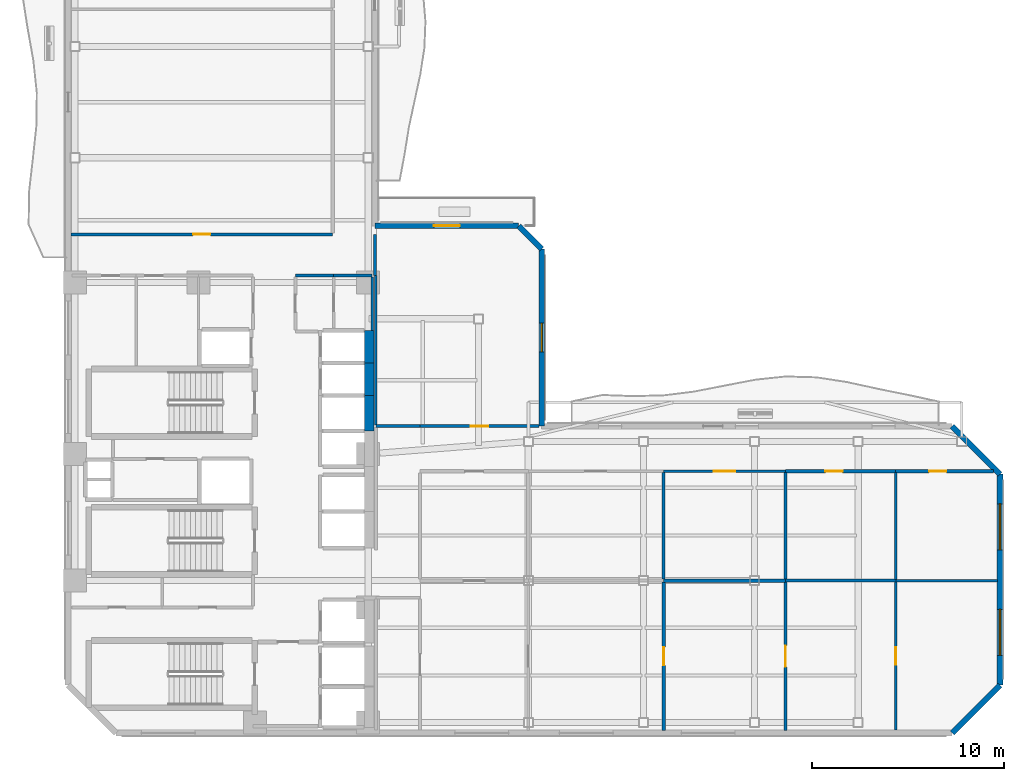
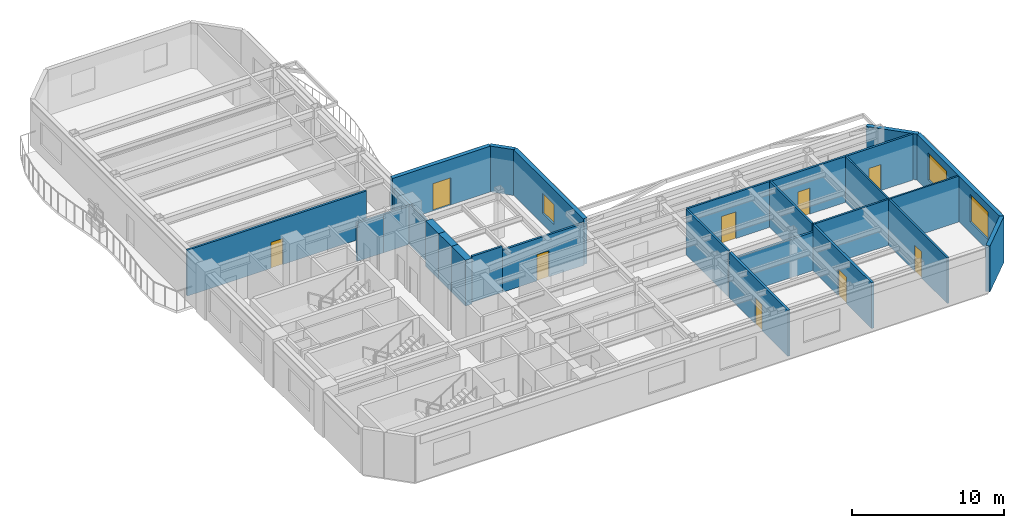
# One storey, part 5 of 12: 29 walls, 9 doors, 3 windows, 12 openings.
"""IFC4 building model written with IfcOpenShell, lengths in metres."""

from ifc_helpers import new_model, si_unit, direction, frame, frame_2d, origin, place, context, subcontext, project, spatial, rectangle, extrude, material, layer, layer_set, type_object, element, fill, save


model = new_model("IFC4")

# Units and contexts
model_context = context("Model", 3, precision=1e-05, world=origin(), true_north=direction((0.0, 1.0)))
body_context = subcontext(model_context, "Body", "Model", "MODEL_VIEW")
ifc_project = project(units=[si_unit("LENGTHUNIT", "METRE"), si_unit("AREAUNIT", "SQUARE_METRE"), si_unit("VOLUMEUNIT", "CUBIC_METRE"), si_unit("PLANEANGLEUNIT", "RADIAN"), si_unit("MASSUNIT", "GRAM", prefix="KILO")], contexts=[model_context])

# Site, building, storey
site_placement = place(None, origin())
site = spatial("IfcSite", under=ifc_project, at=site_placement, CompositionType="ELEMENT")
building_placement = place(site_placement, origin())
building = spatial("IfcBuilding", under=site, at=building_placement, Name="Mawjaban Terraces University", CompositionType="ELEMENT")
storey_placement = place(building_placement, frame((0.0, 0.0, 134.60009765625)))
storey = spatial("IfcBuildingStorey", under=building, at=storey_placement, Name="L32", CompositionType="ELEMENT", Elevation=134.60009765625)

# Wall
ifc_material_1 = material(Name="Acoustic masonry blockwork", Category="masonry")
ifc_layer_1 = layer(ifc_material_1, 0.179931640625)
ifc_layer_set_1 = layer_set([ifc_layer_1], Name="Acoustic masonry blockwork")
wall_type_1 = type_object("IfcWallType", Name="AcousticStudioWall_180", PredefinedType="PARTITIONING", material=ifc_layer_set_1)
wall_1_placement = place(storey_placement, frame((59.409912109375, 7.949951171875, 0.0), z_axis=(0.0, 0.0, 1.0), x_axis=(-1.0, 0.0, 0.0)))
element("IfcWall", 1, at=wall_1_placement, inside=storey, type_object=wall_type_1, Name="L32 Design Studio 6 Partition 23", PredefinedType="PARTITIONING", context=body_context, shape_type="SweptSolid", body=[
    extrude(rectangle(XDim=6.35986328125, YDim=0.179931640625, at=frame_2d((3.179931640625, 0.0))), origin(), (0.0, 0.0, 1.0), 3.073974609375),
])

# Wall, opening, door
wall_2_placement = place(storey_placement, frame((53.050048828125, 0.14501953125, 0.0), z_axis=(0.0, 0.0, 1.0), x_axis=(0.0, 1.0, 0.0)))
wall_2 = element("IfcWall", 2, at=wall_2_placement, inside=storey, type_object=wall_type_1, Name="L32 Computational Laboratory 4 Partition 47", PredefinedType="PARTITIONING", context=body_context, shape_type="SweptSolid", body=[
    extrude(rectangle(XDim=7.719970703125, YDim=0.179931640625, at=frame_2d((3.85986328125, 0.0))), origin(), (0.0, 0.0, 1.0), 3.68994140625),
])
opening_1_placement = place(wall_2_placement, frame((3.385009765625, 0.0, 0.0)))
opening_1 = element("IfcOpeningElement", 3, at=opening_1_placement, cuts=wall_2, Name="Opening ID-095", PredefinedType="OPENING", context=body_context, shape_type="SweptSolid", body=[
    extrude(rectangle(XDim=0.949951171875, YDim=2.10009765625, at=frame_2d((0.47509765625, 1.050048828125))), frame((0.0, 0.099853515625, 0.0), z_axis=(0.0, -1.0, 0.0), x_axis=(1.0, 0.0, 0.0)), (0.0, 0.0, 1.0), 0.199951171875),
])
ifc_material_2 = material(Name="Powder-coated steel frame and solid acoustic timber leaf", Category="steel")
door_type_1 = type_object("IfcDoorType", Name="StudioDoor_950x2100", OperationType="NOTDEFINED", PredefinedType="DOOR", material=ifc_material_2)
door_1_placement = place(opening_1_placement, origin())
door_1 = element("IfcDoor", 4, at=door_1_placement, inside=storey, type_object=door_type_1, Name="L32 Design Studio 6 Door", OperationType="SINGLE_SWING_LEFT", OverallHeight=2.10009765625, OverallWidth=0.949951171875, PredefinedType="DOOR", context=body_context, shape_type="SweptSolid", body=[
    extrude(rectangle(XDim=0.949951171875, YDim=2.10009765625, at=frame_2d((0.47509765625, 1.050048828125))), frame((0.0, 0.02490234375, 0.0), z_axis=(0.0, -1.0, 0.0), x_axis=(1.0, 0.0, 0.0)), (0.0, 0.0, 1.0), 0.050048828125),
])
fill(opening_1, door_1)

wall_3_placement = place(storey_placement, frame((59.409912109375, 0.14501953125, 0.0), z_axis=(0.0, 0.0, 1.0), x_axis=(0.0, 1.0, 0.0)))
wall_3 = element("IfcWall", 5, at=wall_3_placement, inside=storey, type_object=wall_type_1, Name="L32 Design Studio 6 Partition 49", PredefinedType="PARTITIONING", context=body_context, shape_type="SweptSolid", body=[
    extrude(rectangle(XDim=7.719970703125, YDim=0.179931640625, at=frame_2d((3.85986328125, 0.0))), origin(), (0.0, 0.0, 1.0), 3.68994140625),
])
opening_2_placement = place(wall_3_placement, frame((3.31005859375, 0.0, 0.0)))
opening_2 = element("IfcOpeningElement", 6, at=opening_2_placement, cuts=wall_3, Name="Opening ID-110", PredefinedType="OPENING", context=body_context, shape_type="SweptSolid", body=[
    extrude(rectangle(XDim=1.10009765625, YDim=2.14990234375, at=frame_2d((0.550048828125, 1.074951171875))), frame((0.0, 0.099853515625, 0.0), z_axis=(0.0, -1.0, 0.0), x_axis=(1.0, 0.0, 0.0)), (0.0, 0.0, 1.0), 0.199951171875),
])
door_type_2 = type_object("IfcDoorType", Name="LabDoor_1100x2150", OperationType="NOTDEFINED", PredefinedType="DOOR", material=ifc_material_2)
door_2_placement = place(opening_2_placement, origin())
door_2 = element("IfcDoor", 7, at=door_2_placement, inside=storey, type_object=door_type_2, Name="L32 Teaching Laboratory 8 Door", OperationType="SINGLE_SWING_RIGHT", OverallHeight=2.14990234375, OverallWidth=1.10009765625, PredefinedType="DOOR", context=body_context, shape_type="SweptSolid", body=[
    extrude(rectangle(XDim=1.10009765625, YDim=2.14990234375, at=frame_2d((0.550048828125, 1.074951171875))), frame((0.0, 0.02490234375, 0.0), z_axis=(0.0, -1.0, 0.0), x_axis=(1.0, 0.0, 0.0)), (0.0, 0.0, 1.0), 0.050048828125),
])
fill(opening_2, door_2)

# Walls
ifc_material_3 = material(Name="Concrete C60/75", Category="concrete")
ifc_layer_2 = layer(ifc_material_3, 0.5)
ifc_layer_set_2 = layer_set([ifc_layer_2], Name="Concrete C60/75")
wall_type_2 = type_object("IfcWallType", Name="CoreShearWall_500", PredefinedType="SHEAR", material=ifc_layer_set_2)
wall_4_placement = place(storey_placement, frame((37.699951171875, 15.75, 0.0), z_axis=(0.0, 0.0, 1.0), x_axis=(0.0, 1.0, 0.0)))
element("IfcWall", 8, at=wall_4_placement, inside=storey, type_object=wall_type_2, Name="L32 Lift OL-2 Hoistway Wall East", PredefinedType="SHEAR", context=body_context, shape_type="SweptSolid", body=[
    extrude(rectangle(XDim=1.85009765625, YDim=0.5, at=frame_2d((0.925048828125, 0.0))), origin(), (0.0, 0.0, 1.0), 3.68994140625),
])
for number, where, z_axis, x_axis, name in (
    (9, (37.699951171875, 17.60009765625, 0.0), (0.0, 0.0, 1.0), (0.0, 1.0, 0.0), "L32 Lift PL-M1 Hoistway Wall East"),
    (10, (37.699951171875, 19.300048828125, 0.0), (0.0, 0.0, 1.0), (0.0, 1.0, 0.0), "L32 Lift PL-M2 Hoistway Wall East"),
):
    element("IfcWall", number, at=place(storey_placement, frame(where, z_axis=z_axis, x_axis=x_axis)), inside=storey, type_object=wall_type_2, Name=name, PredefinedType="SHEAR", context=body_context, shape_type="SweptSolid", body=[
        extrude(rectangle(XDim=1.699951171875, YDim=0.5, at=frame_2d((0.85009765625, 0.0))), origin(), (0.0, 0.0, 1.0), 3.68994140625),
    ])

# Wall, opening, door
ifc_material_4 = material(Name="Fire-rated gypsum board on steel stud", Category="steel")
ifc_layer_3 = layer(ifc_material_4, 0.159912109375)
ifc_layer_set_3 = layer_set([ifc_layer_3], Name="Fire-rated gypsum board on steel stud")
wall_type_3 = type_object("IfcWallType", Name="CorridorPartition_160", PredefinedType="PARTITIONING", material=ifc_layer_set_3)
wall_5_placement = place(storey_placement, frame((35.800048828125, 26.0, 0.0), z_axis=(0.0, 0.0, 1.0), x_axis=(-1.0, 0.0, 0.0)))
wall_5 = element("IfcWall", 11, at=wall_5_placement, inside=storey, type_object=wall_type_3, Name="L32 North Core Cross-Corridor Partition 11", PredefinedType="PARTITIONING", context=body_context, shape_type="SweptSolid", body=[
    extrude(rectangle(XDim=13.655029296875, YDim=0.159912109375, at=frame_2d((6.82763671875, 0.0))), origin(), (0.0, 0.0, 1.0), 3.68994140625),
])
opening_3_placement = place(wall_5_placement, frame((6.376953125, 0.0, 0.0)))
opening_3 = element("IfcOpeningElement", 12, at=opening_3_placement, cuts=wall_5, Name="Opening ID-090", PredefinedType="OPENING", context=body_context, shape_type="SweptSolid", body=[
    extrude(rectangle(XDim=0.89990234375, YDim=2.10009765625, at=frame_2d((0.449951171875, 1.050048828125))), frame((0.0, 0.08984375, 0.0), z_axis=(0.0, -1.0, 0.0), x_axis=(1.0, 0.0, 0.0)), (0.0, 0.0, 1.0), 0.179931640625),
])
door_type_3 = type_object("IfcDoorType", Name="OfficeDoor_900x2100", OperationType="NOTDEFINED", PredefinedType="DOOR", material=ifc_material_2)
door_3_placement = place(opening_3_placement, origin())
door_3 = element("IfcDoor", 13, at=door_3_placement, inside=storey, type_object=door_type_3, Name="L32 Departmental Office 12 Door", OperationType="SINGLE_SWING_RIGHT", OverallHeight=2.10009765625, OverallWidth=0.89990234375, PredefinedType="DOOR", context=body_context, shape_type="SweptSolid", body=[
    extrude(rectangle(XDim=0.89990234375, YDim=2.10009765625, at=frame_2d((0.449951171875, 1.050048828125))), frame((0.0, 0.02490234375, 0.0), z_axis=(0.0, -1.0, 0.0), x_axis=(1.0, 0.0, 0.0)), (0.0, 0.0, 1.0), 0.050048828125),
])
fill(opening_3, door_3)

# Walls
for number, where, z_axis, x_axis, name in (
    (14, (35.85009765625, 23.85009765625, 0.0), (0.0, 0.0, 1.0), (-1.0, 0.0, 0.0), "L32 Departmental Resource Seminar Room Partition 13"),
    (15, (37.85009765625, 23.85009765625, 0.0), (0.0, 0.0, 1.0), (-1.0, 0.0, 0.0), "L32 Faculty Archive Closet Partition 14"),
):
    element("IfcWall", number, at=place(storey_placement, frame(where, z_axis=z_axis, x_axis=x_axis)), inside=storey, type_object=wall_type_3, Name=name, PredefinedType="PARTITIONING", context=body_context, shape_type="SweptSolid", body=[
        extrude(rectangle(XDim=2.0, YDim=0.159912109375, at=frame_2d((1.0, 0.0))), origin(), (0.0, 0.0, 1.0), 3.073974609375),
    ])
wall_6_placement = place(storey_placement, frame((40.35009765625, 16.0, 0.0), z_axis=(0.0, 0.0, 1.0), x_axis=(-1.0, 0.0, 0.0)))
element("IfcWall", 16, at=wall_6_placement, inside=storey, type_object=wall_type_3, Name="L32 Inner Gallery Link Corridor Partition 17", PredefinedType="PARTITIONING", context=body_context, shape_type="SweptSolid", body=[
    extrude(rectangle(XDim=2.300048828125, YDim=0.159912109375, at=frame_2d((1.14990234375, 0.0))), origin(), (0.0, 0.0, 1.0), 3.68994140625),
])

# Wall, opening, door
wall_7_placement = place(storey_placement, frame((40.35009765625, 16.0, 0.0), z_axis=(0.0, 0.0, 1.0), x_axis=(1.0, 0.0, 0.0)))
wall_7 = element("IfcWall", 17, at=wall_7_placement, inside=storey, type_object=wall_type_3, Name="L32 Terrace Collaborative Study Room Partition 18", PredefinedType="PARTITIONING", context=body_context, shape_type="SweptSolid", body=[
    extrude(rectangle(XDim=6.203857421875, YDim=0.159912109375, at=frame_2d((3.10205078125, 0.0))), origin(), (0.0, 0.0, 1.0), 3.389892578125),
])
opening_4_placement = place(wall_7_placement, frame((2.652099609375, 0.0, 0.0)))
opening_4 = element("IfcOpeningElement", 18, at=opening_4_placement, cuts=wall_7, Name="Opening ID-090", PredefinedType="OPENING", context=body_context, shape_type="SweptSolid", body=[
    extrude(rectangle(XDim=0.89990234375, YDim=2.10009765625, at=frame_2d((0.449951171875, 1.050048828125))), frame((0.0, 0.08984375, 0.0), z_axis=(0.0, -1.0, 0.0), x_axis=(1.0, 0.0, 0.0)), (0.0, 0.0, 1.0), 0.179931640625),
])
door_4_placement = place(opening_4_placement, origin())
door_4 = element("IfcDoor", 19, at=door_4_placement, inside=storey, type_object=door_type_3, Name="L32 Terrace Collaborative Study Room Door", OperationType="SINGLE_SWING_RIGHT", OverallHeight=2.10009765625, OverallWidth=0.89990234375, PredefinedType="DOOR", context=body_context, shape_type="SweptSolid", body=[
    extrude(rectangle(XDim=0.89990234375, YDim=2.10009765625, at=frame_2d((0.449951171875, 1.050048828125))), frame((0.0, 0.02490234375, 0.0), z_axis=(0.0, -1.0, 0.0), x_axis=(1.0, 0.0, 0.0)), (0.0, 0.0, 1.0), 0.050048828125),
])
fill(opening_4, door_4)

wall_8_placement = place(storey_placement, frame((59.409912109375, 13.64990234375, 0.0), z_axis=(0.0, 0.0, 1.0), x_axis=(1.0, 0.0, 0.0)))
wall_8 = element("IfcWall", 20, at=wall_8_placement, inside=storey, type_object=wall_type_3, Name="L32 Inner Terrace Gallery Corridor East Partition 24", PredefinedType="PARTITIONING", context=body_context, shape_type="SweptSolid", body=[
    extrude(rectangle(XDim=5.75, YDim=0.159912109375, at=frame_2d((2.875, 0.0))), origin(), (0.0, 0.0, 1.0), 3.68994140625),
])
opening_5_placement = place(wall_8_placement, frame((2.074951171875, 0.0, 0.0)))
opening_5 = element("IfcOpeningElement", 21, at=opening_5_placement, cuts=wall_8, Name="Opening ID-090", PredefinedType="OPENING", context=body_context, shape_type="SweptSolid", body=[
    extrude(rectangle(XDim=0.89990234375, YDim=2.10009765625, at=frame_2d((0.449951171875, 1.050048828125))), frame((0.0, 0.08984375, 0.0), z_axis=(0.0, -1.0, 0.0), x_axis=(1.0, 0.0, 0.0)), (0.0, 0.0, 1.0), 0.179931640625),
])
door_5_placement = place(opening_5_placement, origin())
door_5 = element("IfcDoor", 22, at=door_5_placement, inside=storey, type_object=door_type_3, Name="L32 Student Tea Pantry 9 Door", OperationType="SINGLE_SWING_RIGHT", OverallHeight=2.10009765625, OverallWidth=0.89990234375, PredefinedType="DOOR", context=body_context, shape_type="SweptSolid", body=[
    extrude(rectangle(XDim=0.89990234375, YDim=2.10009765625, at=frame_2d((0.449951171875, 1.050048828125))), frame((0.0, 0.02490234375, 0.0), z_axis=(0.0, -1.0, 0.0), x_axis=(1.0, 0.0, 0.0)), (0.0, 0.0, 1.0), 0.050048828125),
])
fill(opening_5, door_5)

wall_9_placement = place(storey_placement, frame((65.159912109375, 13.64990234375, 0.0), z_axis=(0.0, 0.0, 1.0), x_axis=(1.0, 0.0, 0.0)))
wall_9 = element("IfcWall", 23, at=wall_9_placement, inside=storey, type_object=wall_type_3, Name="L32 Inner Terrace Gallery Corridor East Partition 26", PredefinedType="PARTITIONING", context=body_context, shape_type="SweptSolid", body=[
    extrude(rectangle(XDim=5.085205078125, YDim=0.159912109375, at=frame_2d((2.54248046875, 0.0))), origin(), (0.0, 0.0, 1.0), 3.68994140625),
])
opening_6_placement = place(wall_9_placement, frame((1.742919921875, 0.0, 0.0)))
opening_6 = element("IfcOpeningElement", 24, at=opening_6_placement, cuts=wall_9, Name="Opening ID-090", PredefinedType="OPENING", context=body_context, shape_type="SweptSolid", body=[
    extrude(rectangle(XDim=0.89990234375, YDim=2.10009765625, at=frame_2d((0.449951171875, 1.050048828125))), frame((0.0, 0.08984375, 0.0), z_axis=(0.0, -1.0, 0.0), x_axis=(1.0, 0.0, 0.0)), (0.0, 0.0, 1.0), 0.179931640625),
])
door_6_placement = place(opening_6_placement, origin())
door_6 = element("IfcDoor", 25, at=door_6_placement, inside=storey, type_object=door_type_3, Name="L32 Faculty Office 11 Door", OperationType="SINGLE_SWING_LEFT", OverallHeight=2.10009765625, OverallWidth=0.89990234375, PredefinedType="DOOR", context=body_context, shape_type="SweptSolid", body=[
    extrude(rectangle(XDim=0.89990234375, YDim=2.10009765625, at=frame_2d((0.449951171875, 1.050048828125))), frame((0.0, 0.02490234375, 0.0), z_axis=(0.0, -1.0, 0.0), x_axis=(1.0, 0.0, 0.0)), (0.0, 0.0, 1.0), 0.050048828125),
])
fill(opening_6, door_6)

# Walls
wall_10_placement = place(storey_placement, frame((38.0, 23.85009765625, 0.0), z_axis=(0.0, 0.0, 1.0), x_axis=(0.0, 1.0, 0.0)))
element("IfcWall", 26, at=wall_10_placement, inside=storey, type_object=wall_type_3, Name="L32 North Core Cross-Corridor Partition 39", PredefinedType="PARTITIONING", context=body_context, shape_type="SweptSolid", body=[
    extrude(rectangle(XDim=2.14990234375, YDim=0.159912109375, at=frame_2d((1.074951171875, 0.0))), origin(), (0.0, 0.0, 1.0), 3.073974609375),
])
ifc_material_5 = material(Name="Insulated terracotta rainscreen on concrete backup C40/50", Category="masonry")
ifc_layer_4 = layer(ifc_material_5, 0.300048828125)
ifc_layer_set_4 = layer_set([ifc_layer_4], Name="Insulated terracotta rainscreen on concrete backup C40/50")
wall_type_4 = type_object("IfcWallType", Name="ExtTerracottaWall_300", PredefinedType="SOLIDWALL", material=ifc_layer_set_4)
wall_11_placement = place(storey_placement, frame((68.10009765625, 0.0, 0.0), z_axis=(0.0, 0.0, 1.0), x_axis=(0.707106781187, 0.707106781187, 0.0)))
element("IfcWall", 27, at=wall_11_placement, inside=storey, type_object=wall_type_4, Name="L32 Exterior Terracotta Wall 2", PredefinedType="SOLIDWALL", context=body_context, shape_type="SweptSolid", body=[
    extrude(rectangle(XDim=3.53564453125, YDim=0.300048828125, at=frame_2d((1.767822265625, 0.0))), origin(), (0.0, 0.0, 1.0), 3.68994140625),
])

# Wall, openings, windows
wall_12_placement = place(storey_placement, frame((70.60009765625, 2.5, 0.0), z_axis=(0.0, 0.0, 1.0), x_axis=(0.0, 1.0, 0.0)))
wall_12 = element("IfcWall", 28, at=wall_12_placement, inside=storey, type_object=wall_type_4, Name="L32 Exterior Terracotta Wall 3", PredefinedType="SOLIDWALL", context=body_context, shape_type="SweptSolid", body=[
    extrude(rectangle(XDim=11.0, YDim=0.300048828125, at=frame_2d((5.5, 0.0))), origin(), (0.0, 0.0, 1.0), 3.68994140625),
])
opening_7_placement = place(wall_12_placement, frame((1.550048828125, 0.0, 0.89990234375)))
opening_7 = element("IfcOpeningElement", 29, at=opening_7_placement, cuts=wall_12, Name="Opening W-11", PredefinedType="OPENING", context=body_context, shape_type="SweptSolid", body=[
    extrude(rectangle(XDim=2.39990234375, YDim=2.199951171875, at=frame_2d((1.199951171875, 1.10009765625))), frame((0.0, 0.159912109375, 0.0), z_axis=(0.0, -1.0, 0.0), x_axis=(1.0, 0.0, 0.0)), (0.0, 0.0, 1.0), 0.320068359375),
])
opening_8_placement = place(wall_12_placement, frame((7.050048828125, 0.0, 0.89990234375)))
opening_8 = element("IfcOpeningElement", 30, at=opening_8_placement, cuts=wall_12, Name="Opening W-11", PredefinedType="OPENING", context=body_context, shape_type="SweptSolid", body=[
    extrude(rectangle(XDim=2.39990234375, YDim=2.199951171875, at=frame_2d((1.199951171875, 1.10009765625))), frame((0.0, 0.159912109375, 0.0), z_axis=(0.0, -1.0, 0.0), x_axis=(1.0, 0.0, 0.0)), (0.0, 0.0, 1.0), 0.320068359375),
])
ifc_material_6 = material(Name="Low-E solar-control double glazing in thermally broken aluminium frame", Category="aluminium")
window_type_1 = type_object("IfcWindowType", Name="Win_2400x2200", PartitioningType="SINGLE_PANEL", PredefinedType="WINDOW", material=ifc_material_6)
window_1_placement = place(opening_7_placement, origin())
window_1 = element("IfcWindow", 31, at=window_1_placement, inside=storey, type_object=window_type_1, Name="L32 Facade Window 3.1", OverallHeight=2.199951171875, OverallWidth=2.39990234375, PartitioningType="SINGLE_PANEL", PredefinedType="WINDOW", context=body_context, shape_type="SweptSolid", body=[
    extrude(rectangle(XDim=2.39990234375, YDim=2.199951171875, at=frame_2d((1.199951171875, 1.10009765625))), frame((0.0, 0.030029296875, 0.0), z_axis=(0.0, -1.0, 0.0), x_axis=(1.0, 0.0, 0.0)), (0.0, 0.0, 1.0), 0.06005859375),
])
fill(opening_7, window_1)
window_2_placement = place(opening_8_placement, origin())
window_2 = element("IfcWindow", 32, at=window_2_placement, inside=storey, type_object=window_type_1, Name="L32 Facade Window 3.2", OverallHeight=2.199951171875, OverallWidth=2.39990234375, PartitioningType="SINGLE_PANEL", PredefinedType="WINDOW", context=body_context, shape_type="SweptSolid", body=[
    extrude(rectangle(XDim=2.39990234375, YDim=2.199951171875, at=frame_2d((1.199951171875, 1.10009765625))), frame((0.0, 0.030029296875, 0.0), z_axis=(0.0, -1.0, 0.0), x_axis=(1.0, 0.0, 0.0)), (0.0, 0.0, 1.0), 0.06005859375),
])
fill(opening_8, window_2)

# Wall
wall_13_placement = place(storey_placement, frame((70.60009765625, 13.5, 0.0), z_axis=(0.0, 0.0, 1.0), x_axis=(-0.707106781187, 0.707106781187, 0.0)))
element("IfcWall", 33, at=wall_13_placement, inside=storey, type_object=wall_type_4, Name="L32 Exterior Terracotta Wall 4", PredefinedType="SOLIDWALL", context=body_context, shape_type="SweptSolid", body=[
    extrude(rectangle(XDim=3.53564453125, YDim=0.300048828125, at=frame_2d((1.767822265625, 0.0))), origin(), (0.0, 0.0, 1.0), 3.68994140625),
])

# Wall, opening, window
wall_14_placement = place(storey_placement, frame((46.698974609375, 16.0, 0.0), z_axis=(0.0, 0.0, 1.0), x_axis=(0.0, 1.0, 0.0)))
wall_14 = element("IfcWall", 34, at=wall_14_placement, inside=storey, type_object=wall_type_4, Name="L32 Exterior Terracotta Wall 6", PredefinedType="SOLIDWALL", context=body_context, shape_type="SweptSolid", body=[
    extrude(rectangle(XDim=9.25, YDim=0.300048828125, at=frame_2d((4.625, 0.0))), origin(), (0.0, 0.0, 1.0), 3.68994140625),
])
opening_9_placement = place(wall_14_placement, frame((3.875, 0.0, 0.89990234375)))
opening_9 = element("IfcOpeningElement", 35, at=opening_9_placement, cuts=wall_14, Name="Opening W-02", PredefinedType="OPENING", context=body_context, shape_type="SweptSolid", body=[
    extrude(rectangle(XDim=1.5, YDim=1.60009765625, at=frame_2d((0.75, 0.800048828125))), frame((0.0, 0.159912109375, 0.0), z_axis=(0.0, -1.0, 0.0), x_axis=(1.0, 0.0, 0.0)), (0.0, 0.0, 1.0), 0.320068359375),
])
window_type_2 = type_object("IfcWindowType", Name="Win_1500x1600", PartitioningType="SINGLE_PANEL", PredefinedType="WINDOW", material=ifc_material_6)
window_3_placement = place(opening_9_placement, origin())
window_3 = element("IfcWindow", 36, at=window_3_placement, inside=storey, type_object=window_type_2, Name="L32 Facade Window 6.1", OverallHeight=1.60009765625, OverallWidth=1.5, PartitioningType="SINGLE_PANEL", PredefinedType="WINDOW", context=body_context, shape_type="SweptSolid", body=[
    extrude(rectangle(XDim=1.5, YDim=1.60009765625, at=frame_2d((0.75, 0.800048828125))), frame((0.0, 0.030029296875, 0.0), z_axis=(0.0, -1.0, 0.0), x_axis=(1.0, 0.0, 0.0)), (0.0, 0.0, 1.0), 0.06005859375),
])
fill(opening_9, window_3)

# Wall
wall_15_placement = place(storey_placement, frame((46.698974609375, 25.25, 0.0), z_axis=(0.0, 0.0, 1.0), x_axis=(-0.707106781187, 0.707106781187, 0.0)))
element("IfcWall", 37, at=wall_15_placement, inside=storey, type_object=wall_type_4, Name="L32 Exterior Terracotta Wall 7", PredefinedType="SOLIDWALL", context=body_context, shape_type="SweptSolid", body=[
    extrude(rectangle(XDim=1.697021484375, YDim=0.300048828125, at=frame_2d((0.8486328125, 0.0))), origin(), (0.0, 0.0, 1.0), 3.68994140625),
])

# Wall, opening, door
wall_16_placement = place(storey_placement, frame((45.4990234375, 26.449951171875, 0.0), z_axis=(0.0, 0.0, 1.0), x_axis=(-1.0, 0.0, 0.0)))
wall_16 = element("IfcWall", 38, at=wall_16_placement, inside=storey, type_object=wall_type_4, Name="L32 Exterior Terracotta Wall 8", PredefinedType="SOLIDWALL", context=body_context, shape_type="SweptSolid", body=[
    extrude(rectangle(XDim=7.4990234375, YDim=0.300048828125, at=frame_2d((3.74951171875, 0.0))), origin(), (0.0, 0.0, 1.0), 3.68994140625),
])
opening_10_placement = place(wall_16_placement, frame((3.074951171875, 0.0, 0.0)))
opening_10 = element("IfcOpeningElement", 39, at=opening_10_placement, cuts=wall_16, Name="Opening TD-135", PredefinedType="OPENING", context=body_context, shape_type="SweptSolid", body=[
    extrude(rectangle(XDim=1.35009765625, YDim=2.199951171875, at=frame_2d((0.675048828125, 1.10009765625))), frame((0.0, 0.159912109375, 0.0), z_axis=(0.0, -1.0, 0.0), x_axis=(1.0, 0.0, 0.0)), (0.0, 0.0, 1.0), 0.320068359375),
])
ifc_material_7 = material(Name="Thermally broken anodised aluminium and laminated safety glass", Category="aluminium")
door_type_4 = type_object("IfcDoorType", Name="TerraceGlazedDoor_1350x2200", OperationType="NOTDEFINED", PredefinedType="DOOR", material=ifc_material_7)
door_7_placement = place(opening_10_placement, origin())
door_7 = element("IfcDoor", 40, at=door_7_placement, inside=storey, type_object=door_type_4, Name="L32 Terrace Access Door TER-L32-CLIMB", OperationType="SINGLE_SWING_RIGHT", OverallHeight=2.199951171875, OverallWidth=1.35009765625, PredefinedType="DOOR", context=body_context, shape_type="SweptSolid", body=[
    extrude(rectangle(XDim=1.35009765625, YDim=2.199951171875, at=frame_2d((0.675048828125, 1.10009765625))), frame((0.0, 0.02490234375, 0.0), z_axis=(0.0, -1.0, 0.0), x_axis=(1.0, 0.0, 0.0)), (0.0, 0.0, 1.0), 0.050048828125),
])
fill(opening_10, door_7)

ifc_material_8 = material(Name="Moisture-resistant gypsum board on steel stud", Category="steel")
ifc_layer_5 = layer(ifc_material_8, 0.14501953125)
ifc_layer_set_5 = layer_set([ifc_layer_5], Name="Moisture-resistant gypsum board on steel stud")
wall_type_5 = type_object("IfcWallType", Name="LabPartition_145", PredefinedType="PARTITIONING", material=ifc_layer_set_5)
wall_17_placement = place(storey_placement, frame((53.050048828125, 13.64990234375, 0.0), z_axis=(0.0, 0.0, 1.0), x_axis=(1.0, 0.0, 0.0)))
wall_17 = element("IfcWall", 41, at=wall_17_placement, inside=storey, type_object=wall_type_5, Name="L32 Inner Terrace Gallery Corridor East Partition 22", PredefinedType="PARTITIONING", context=body_context, shape_type="SweptSolid", body=[
    extrude(rectangle(XDim=6.35986328125, YDim=0.14501953125, at=frame_2d((3.179931640625, 0.0))), origin(), (0.0, 0.0, 1.0), 3.68994140625),
])
opening_11_placement = place(wall_17_placement, frame((2.6298828125, 0.0, 0.0)))
opening_11 = element("IfcOpeningElement", 42, at=opening_11_placement, cuts=wall_17, Name="Opening ID-110", PredefinedType="OPENING", context=body_context, shape_type="SweptSolid", body=[
    extrude(rectangle(XDim=1.10009765625, YDim=2.14990234375, at=frame_2d((0.550048828125, 1.074951171875))), frame((0.0, 0.08251953125, 0.0), z_axis=(0.0, -1.0, 0.0), x_axis=(1.0, 0.0, 0.0)), (0.0, 0.0, 1.0), 0.1650390625),
])
door_8_placement = place(opening_11_placement, origin())
door_8 = element("IfcDoor", 43, at=door_8_placement, inside=storey, type_object=door_type_2, Name="L32 Computational Laboratory 7 Door", OperationType="SINGLE_SWING_LEFT", OverallHeight=2.14990234375, OverallWidth=1.10009765625, PredefinedType="DOOR", context=body_context, shape_type="SweptSolid", body=[
    extrude(rectangle(XDim=1.10009765625, YDim=2.14990234375, at=frame_2d((0.550048828125, 1.074951171875))), frame((0.0, 0.02490234375, 0.0), z_axis=(0.0, -1.0, 0.0), x_axis=(1.0, 0.0, 0.0)), (0.0, 0.0, 1.0), 0.050048828125),
])
fill(opening_11, door_8)

# Walls
wall_18_placement = place(storey_placement, frame((65.159912109375, 7.949951171875, 0.0), z_axis=(0.0, 0.0, 1.0), x_axis=(-1.0, 0.0, 0.0)))
element("IfcWall", 44, at=wall_18_placement, inside=storey, type_object=wall_type_5, Name="L32 Teaching Laboratory 8 Partition 25", PredefinedType="PARTITIONING", context=body_context, shape_type="SweptSolid", body=[
    extrude(rectangle(XDim=5.75, YDim=0.14501953125, at=frame_2d((2.875, 0.0))), origin(), (0.0, 0.0, 1.0), 3.68994140625),
])
wall_19_placement = place(storey_placement, frame((53.050048828125, 8.034912109375, 0.0), z_axis=(0.0, 0.0, 1.0), x_axis=(0.0, 1.0, 0.0)))
element("IfcWall", 45, at=wall_19_placement, inside=storey, type_object=wall_type_5, Name="L32 Teaching Laboratory 5 Partition 48", PredefinedType="PARTITIONING", context=body_context, shape_type="SweptSolid", body=[
    extrude(rectangle(XDim=5.547119140625, YDim=0.14501953125, at=frame_2d((2.7734375, 0.0))), origin(), (0.0, 0.0, 1.0), 3.68994140625),
])
wall_20_placement = place(storey_placement, frame((59.409912109375, 8.034912109375, 0.0), z_axis=(0.0, 0.0, 1.0), x_axis=(0.0, 1.0, 0.0)))
element("IfcWall", 46, at=wall_20_placement, inside=storey, type_object=wall_type_5, Name="L32 Computational Laboratory 7 Partition 50", PredefinedType="PARTITIONING", context=body_context, shape_type="SweptSolid", body=[
    extrude(rectangle(XDim=5.5400390625, YDim=0.14501953125, at=frame_2d((2.77001953125, 0.0))), origin(), (0.0, 0.0, 1.0), 3.68994140625),
])

# Wall, opening, door
wall_21_placement = place(storey_placement, frame((65.159912109375, 0.14501953125, 0.0), z_axis=(0.0, 0.0, 1.0), x_axis=(0.0, 1.0, 0.0)))
wall_21 = element("IfcWall", 47, at=wall_21_placement, inside=storey, type_object=wall_type_5, Name="L32 Teaching Laboratory 8 Partition 51", PredefinedType="PARTITIONING", context=body_context, shape_type="SweptSolid", body=[
    extrude(rectangle(XDim=7.738037109375, YDim=0.14501953125, at=frame_2d((3.869140625, 0.0))), origin(), (0.0, 0.0, 1.0), 3.68994140625),
])
opening_12_placement = place(wall_21_placement, frame((3.4189453125, 0.0, 0.0)))
opening_12 = element("IfcOpeningElement", 48, at=opening_12_placement, cuts=wall_21, Name="Opening ID-090", PredefinedType="OPENING", context=body_context, shape_type="SweptSolid", body=[
    extrude(rectangle(XDim=0.89990234375, YDim=2.10009765625, at=frame_2d((0.449951171875, 1.050048828125))), frame((0.0, 0.08251953125, 0.0), z_axis=(0.0, -1.0, 0.0), x_axis=(1.0, 0.0, 0.0)), (0.0, 0.0, 1.0), 0.1650390625),
])
door_9_placement = place(opening_12_placement, origin())
door_9 = element("IfcDoor", 49, at=door_9_placement, inside=storey, type_object=door_type_3, Name="L32 Student Tea Pantry 10 Door", OperationType="SINGLE_SWING_LEFT", OverallHeight=2.10009765625, OverallWidth=0.89990234375, PredefinedType="DOOR", context=body_context, shape_type="SweptSolid", body=[
    extrude(rectangle(XDim=0.89990234375, YDim=2.10009765625, at=frame_2d((0.449951171875, 1.050048828125))), frame((0.0, 0.02490234375, 0.0), z_axis=(0.0, -1.0, 0.0), x_axis=(1.0, 0.0, 0.0)), (0.0, 0.0, 1.0), 0.050048828125),
])
fill(opening_12, door_9)

# Walls
ifc_material_9 = material(Name="Gypsum plasterboard on steel stud", Category="steel")
ifc_layer_6 = layer(ifc_material_9, 0.125)
ifc_layer_set_6 = layer_set([ifc_layer_6], Name="Gypsum plasterboard on steel stud")
wall_type_6 = type_object("IfcWallType", Name="OfficePartition_125", PredefinedType="PARTITIONING", material=ifc_layer_set_6)
wall_22_placement = place(storey_placement, frame((70.455078125, 7.949951171875, 0.0), z_axis=(0.0, 0.0, 1.0), x_axis=(-1.0, 0.0, 0.0)))
element("IfcWall", 50, at=wall_22_placement, inside=storey, type_object=wall_type_6, Name="L32 Student Tea Pantry 10 Partition 27", PredefinedType="PARTITIONING", context=body_context, shape_type="SweptSolid", body=[
    extrude(rectangle(XDim=5.295166015625, YDim=0.125, at=frame_2d((2.6474609375, 0.0))), origin(), (0.0, 0.0, 1.0), 3.68994140625),
])
wall_23_placement = place(storey_placement, frame((37.85009765625, 21.0, 0.0), z_axis=(0.0, 0.0, 1.0), x_axis=(0.0, 1.0, 0.0)))
element("IfcWall", 51, at=wall_23_placement, inside=storey, type_object=wall_type_6, Name="L32 Faculty Archive Closet Partition 38", PredefinedType="PARTITIONING", context=body_context, shape_type="SweptSolid", body=[
    extrude(rectangle(XDim=2.77490234375, YDim=0.125, at=frame_2d((1.387451171875, 0.0))), origin(), (0.0, 0.0, 1.0), 3.073974609375),
])
wall_24_placement = place(storey_placement, frame((38.050048828125, 23.85009765625, 0.0), z_axis=(0.0, 0.0, 1.0), x_axis=(0.0, -1.0, 0.0)))
element("IfcWall", 52, at=wall_24_placement, inside=storey, type_object=wall_type_6, Name="L32 Terrace Collaborative Study Room Partition 42", PredefinedType="PARTITIONING", context=body_context, shape_type="SweptSolid", body=[
    extrude(rectangle(XDim=7.775146484375, YDim=0.125, at=frame_2d((3.8876953125, 0.0))), origin(), (0.0, 0.0, 1.0), 3.073974609375),
])
wall_25_placement = place(storey_placement, frame((65.159912109375, 8.01806640625, 0.0), z_axis=(0.0, 0.0, 1.0), x_axis=(0.0, 1.0, 0.0)))
element("IfcWall", 53, at=wall_25_placement, inside=storey, type_object=wall_type_6, Name="L32 Student Tea Pantry 9 Partition 52", PredefinedType="PARTITIONING", context=body_context, shape_type="SweptSolid", body=[
    extrude(rectangle(XDim=5.556884765625, YDim=0.125, at=frame_2d((2.7783203125, 0.0))), origin(), (0.0, 0.0, 1.0), 3.68994140625),
])

save(model, "model.ifc")
